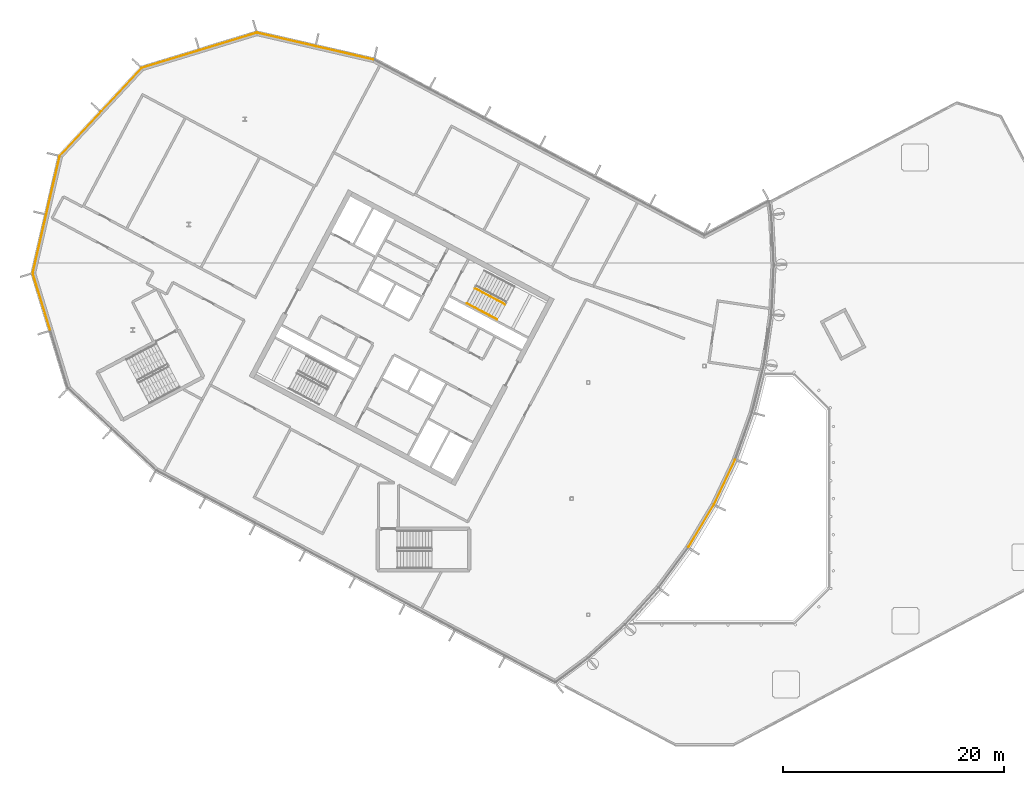
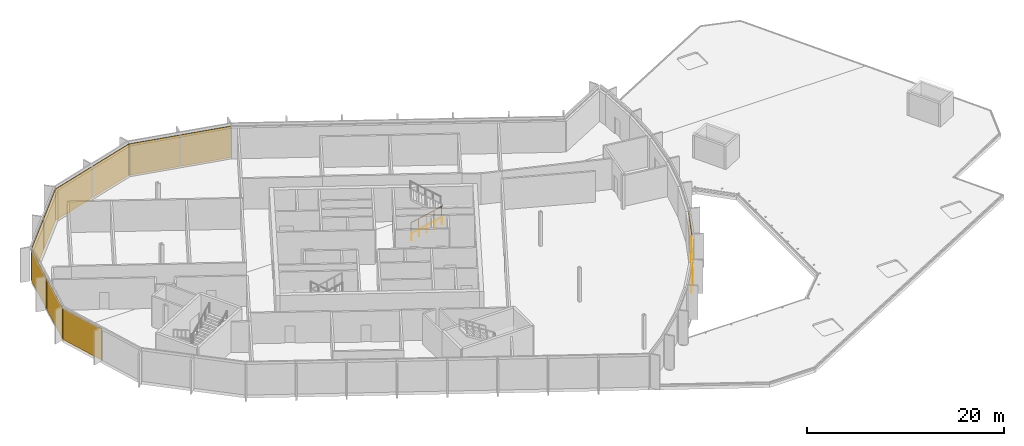
# One storey, part 13 of 16: 11 coverings, 2 railings, 7 elements without a shape of their own.
"""IFC4 building model written with IfcOpenShell, lengths in metres."""

from ifc_helpers import new_model, si_unit, direction, frame, origin, origin_2d, place, context, subcontext, project, spatial, polyline, rectangle, outline, extrude, material, layer, layer_set, type_object, element, aggregate, save


model = new_model("IFC4")

# Units and contexts
model_context = context("Model", 3, precision=1e-05, world=origin(), true_north=direction((0.0, 1.0)))
body_context = subcontext(model_context, "Body", "Model", "MODEL_VIEW")
ifc_project = project(units=[si_unit("LENGTHUNIT", "METRE"), si_unit("AREAUNIT", "SQUARE_METRE"), si_unit("VOLUMEUNIT", "CUBIC_METRE"), si_unit("PLANEANGLEUNIT", "RADIAN"), si_unit("MASSUNIT", "GRAM", prefix="KILO")], contexts=[model_context])

# Site, building, storey
site_placement = place(None, origin())
site = spatial("IfcSite", under=ifc_project, at=site_placement, CompositionType="ELEMENT")
building_placement = place(site_placement, origin())
building = spatial("IfcBuilding", under=site, at=building_placement, Name="Cormorant Relay Tower", CompositionType="ELEMENT")
storey_placement = place(building_placement, frame((0.0, 0.0, 328.199951171875)))
storey = spatial("IfcBuildingStorey", under=building, at=storey_placement, Name="C1", CompositionType="ELEMENT", Elevation=328.199951171875)

# Curtain wall, covering
ifc_material_1 = material(Name="Aluminium 6063-T6 anodised bronze", Category="aluminium")
ifc_layer_1 = layer(ifc_material_1, 0.199951171875)
ifc_layer_set_1 = layer_set([ifc_layer_1], Name="CW3 crown screen wall")
curtain_wall_type = type_object("IfcCurtainWallType", Name="CW3 crown screen wall", PredefinedType="NOTDEFINED", material=ifc_layer_set_1)
curtain_wall_1_placement = place(storey_placement, origin())
curtain_wall_1 = element("IfcCurtainWall", 1, at=curtain_wall_1_placement, inside=storey, type_object=curtain_wall_type, Name="CW3 curtain wall 6", PredefinedType="NOTDEFINED")
ifc_material_2 = material(Name="Perforated bronze anodised aluminium screen", Category="aluminium")
ifc_layer_2 = layer(ifc_material_2, 0.0400390625)
ifc_layer_set_2 = layer_set([ifc_layer_2], Name="CW3 perforated bronze screen panel 40")
covering_type = type_object("IfcCoveringType", Name="CW3 perforated bronze screen panel 40", PredefinedType="CLADDING", material=ifc_layer_set_2)
covering_1_placement = place(storey_placement, frame((-0.2880859375, -2.47216796875, 0.0), z_axis=(0.0, 0.0, 1.0), x_axis=(0.514102744193, 0.85772861, 0.0)))
covering_1 = element("IfcCovering", 2, at=covering_1_placement, type_object=covering_type, Name="CW3 panel X00", PredefinedType="CLADDING", context=body_context, shape_type="SweptSolid", body=[
    extrude(rectangle(XDim=4.439208984375, YDim=0.0400390625, at=origin_2d()), origin(), (0.0, 0.0, 1.0), 3.89990234375),
])
aggregate(curtain_wall_1, [covering_1])

curtain_wall_2_placement = place(storey_placement, origin())
curtain_wall_2 = element("IfcCurtainWall", 3, at=curtain_wall_2_placement, inside=storey, type_object=curtain_wall_type, Name="CW3 curtain wall 7", PredefinedType="NOTDEFINED")
covering_2_placement = place(storey_placement, frame((1.8349609375, 1.5078125, 0.0), z_axis=(0.0, 0.0, 1.0), x_axis=(0.42755509343, 0.903989293123, 0.0)))
covering_2 = element("IfcCovering", 4, at=covering_2_placement, type_object=covering_type, Name="CW3 panel X00", PredefinedType="CLADDING", context=body_context, shape_type="SweptSolid", body=[
    extrude(rectangle(XDim=4.439208984375, YDim=0.0400390625, at=origin_2d()), origin(), (0.0, 0.0, 1.0), 3.89990234375),
])
aggregate(curtain_wall_2, [covering_2])

# Curtain wall, coverings
curtain_wall_3_placement = place(storey_placement, origin())
curtain_wall_3 = element("IfcCurtainWall", 5, at=curtain_wall_3_placement, inside=storey, type_object=curtain_wall_type, Name="CW3 curtain wall 16", PredefinedType="NOTDEFINED")
covering_3_placement = place(storey_placement, frame((-32.51708984375, 40.298828125, 0.0), z_axis=(0.0, 0.0, 1.0), x_axis=(-0.974370064785, 0.224951054344, 0.0)))
covering_3 = element("IfcCovering", 6, at=covering_3_placement, type_object=covering_type, Name="CW3 panel X00", PredefinedType="CLADDING", context=body_context, shape_type="SweptSolid", body=[
    extrude(rectangle(XDim=5.28515625, YDim=0.0400390625, at=origin_2d()), origin(), (0.0, 0.0, 1.0), 3.89990234375),
])
covering_4_placement = place(storey_placement, frame((-37.849609375, 41.530029296875, 0.0), z_axis=(0.0, 0.0, 1.0), x_axis=(-0.974370064785, 0.224951054344, 0.0)))
covering_4 = element("IfcCovering", 7, at=covering_4_placement, type_object=covering_type, Name="CW3 panel X01", PredefinedType="CLADDING", context=body_context, shape_type="SweptSolid", body=[
    extrude(rectangle(XDim=5.360107421875, YDim=0.0400390625, at=origin_2d()), origin(), (0.0, 0.0, 1.0), 3.89990234375),
])
aggregate(curtain_wall_3, [covering_3, covering_4])

curtain_wall_4_placement = place(storey_placement, origin())
curtain_wall_4 = element("IfcCurtainWall", 8, at=curtain_wall_4_placement, inside=storey, type_object=curtain_wall_type, Name="CW3 curtain wall 17", PredefinedType="NOTDEFINED")
covering_5_placement = place(storey_placement, frame((-43.0703125, 41.337890625, 0.0), z_axis=(0.0, 0.0, 1.0), x_axis=(-0.956304755963, -0.292371704723, 0.0)))
covering_5 = element("IfcCovering", 9, at=covering_5_placement, type_object=covering_type, Name="CW3 panel X00", PredefinedType="CLADDING", context=body_context, shape_type="SweptSolid", body=[
    extrude(rectangle(XDim=5.28515625, YDim=0.0400390625, at=origin_2d()), origin(), (0.0, 0.0, 1.0), 3.89990234375),
])
covering_6_placement = place(storey_placement, frame((-48.3037109375, 39.73779296875, 0.0), z_axis=(0.0, 0.0, 1.0), x_axis=(-0.956304755963, -0.292371704723, 0.0)))
covering_6 = element("IfcCovering", 10, at=covering_6_placement, type_object=covering_type, Name="CW3 panel X01", PredefinedType="CLADDING", context=body_context, shape_type="SweptSolid", body=[
    extrude(rectangle(XDim=5.360107421875, YDim=0.0400390625, at=origin_2d()), origin(), (0.0, 0.0, 1.0), 3.89990234375),
])
aggregate(curtain_wall_4, [covering_5, covering_6])

curtain_wall_5_placement = place(storey_placement, origin())
curtain_wall_5 = element("IfcCurtainWall", 11, at=curtain_wall_5_placement, inside=storey, type_object=curtain_wall_type, Name="CW3 curtain wall 18", PredefinedType="NOTDEFINED")
covering_7_placement = place(storey_placement, frame((-52.72900390625, 36.961181640625, 0.0), z_axis=(0.0, 0.0, 1.0), x_axis=(-0.681998360062, -0.731353701619, 0.0)))
covering_7 = element("IfcCovering", 12, at=covering_7_placement, type_object=covering_type, Name="CW3 panel X00", PredefinedType="CLADDING", context=body_context, shape_type="SweptSolid", body=[
    extrude(rectangle(XDim=5.28515625, YDim=0.0400390625, at=origin_2d()), origin(), (0.0, 0.0, 1.0), 3.89990234375),
])
covering_8_placement = place(storey_placement, frame((-56.461181640625, 32.958984375, 0.0), z_axis=(0.0, 0.0, 1.0), x_axis=(-0.681998360062, -0.731353701619, 0.0)))
covering_8 = element("IfcCovering", 13, at=covering_8_placement, type_object=covering_type, Name="CW3 panel X01", PredefinedType="CLADDING", context=body_context, shape_type="SweptSolid", body=[
    extrude(rectangle(XDim=5.360107421875, YDim=0.0400390625, at=origin_2d()), origin(), (0.0, 0.0, 1.0), 3.89990234375),
])
aggregate(curtain_wall_5, [covering_7, covering_8])

curtain_wall_6_placement = place(storey_placement, origin())
curtain_wall_6 = element("IfcCurtainWall", 14, at=curtain_wall_6_placement, inside=storey, type_object=curtain_wall_type, Name="CW3 curtain wall 19", PredefinedType="NOTDEFINED")
covering_9_placement = place(storey_placement, frame((-58.905517578125, 28.341796875, 0.0), z_axis=(0.0, 0.0, 1.0), x_axis=(-0.224951054344, -0.974370064785, 0.0)))
covering_9 = element("IfcCovering", 15, at=covering_9_placement, type_object=covering_type, Name="CW3 panel X00", PredefinedType="CLADDING", context=body_context, shape_type="SweptSolid", body=[
    extrude(rectangle(XDim=5.28515625, YDim=0.0400390625, at=origin_2d()), origin(), (0.0, 0.0, 1.0), 3.89990234375),
])
covering_10_placement = place(storey_placement, frame((-60.136474609375, 23.00927734375, 0.0), z_axis=(0.0, 0.0, 1.0), x_axis=(-0.224951054344, -0.974370064785, 0.0)))
covering_10 = element("IfcCovering", 16, at=covering_10_placement, type_object=covering_type, Name="CW3 panel X01", PredefinedType="CLADDING", context=body_context, shape_type="SweptSolid", body=[
    extrude(rectangle(XDim=5.360107421875, YDim=0.0400390625, at=origin_2d()), origin(), (0.0, 0.0, 1.0), 3.89990234375),
])
aggregate(curtain_wall_6, [covering_9, covering_10])

# Curtain wall, covering
curtain_wall_7_placement = place(storey_placement, origin())
curtain_wall_7 = element("IfcCurtainWall", 17, at=curtain_wall_7_placement, inside=storey, type_object=curtain_wall_type, Name="CW3 curtain wall 20", PredefinedType="NOTDEFINED")
covering_11_placement = place(storey_placement, frame((-59.9443359375, 17.78857421875, 0.0), z_axis=(0.0, 0.0, 1.0), x_axis=(0.292371704723, -0.956304755963, 0.0)))
covering_11 = element("IfcCovering", 18, at=covering_11_placement, type_object=covering_type, Name="CW3 panel X00", PredefinedType="CLADDING", context=body_context, shape_type="SweptSolid", body=[
    extrude(rectangle(XDim=5.28515625, YDim=0.0400390625, at=origin_2d()), origin(), (0.0, 0.0, 1.0), 3.89990234375),
])
aggregate(curtain_wall_7, [covering_11])

# Railings
ifc_material_3 = material(Name="Steel ASTM A572 Grade 50 (Fy 345 MPa)", Category="steel")
railing_type_1 = type_object("IfcRailingType", Name="Stair guard 1100", PredefinedType="GUARDRAIL", material=ifc_material_3)
railing_1_placement = place(storey_placement, frame((-20.75048828125, 19.017822265625, 0.175048828125)))
element("IfcRailing", 19, at=railing_1_placement, inside=storey, type_object=railing_type_1, Name="C1 A1 stair guard 1", PredefinedType="GUARDRAIL", context=body_context, shape_type="SweptSolid", body=[
    extrude(outline(polyline([(0.022216796875, 0.00927734375), (0.00927734375, 0.022216796875), (-0.00927734375, 0.022216796875), (-0.022216796875, 0.00927734375), (-0.022216796875, -0.00927734375), (-0.00927734375, -0.022216796875), (0.00927734375, -0.022216796875), (0.022216796875, -0.00927734375), (0.022216796875, 0.00927734375)])), frame((0.0, 0.0, 1.076171875), z_axis=(0.748747275397, -0.39806817173, 0.530018158408), x_axis=(0.469427602063, 0.882970965786, 0.0)), (0.0, 0.0, 1.0), 3.632080078125),
    extrude(outline(polyline([(0.019287109375, 0.008056640625), (0.008056640625, 0.019287109375), (-0.008056640625, 0.019287109375), (-0.019287109375, 0.008056640625), (-0.019287109375, -0.008056640625), (-0.008056640625, -0.019287109375), (0.008056640625, -0.019287109375), (0.019287109375, -0.008056640625), (0.019287109375, 0.008056640625)])), origin(), (0.0, 0.0, 1.0), 1.052001953125),
    extrude(outline(polyline([(0.019287109375, 0.008056640625), (0.008056640625, 0.019287109375), (-0.008056640625, 0.019287109375), (-0.019287109375, 0.008056640625), (-0.019287109375, -0.008056640625), (-0.008056640625, -0.019287109375), (0.008056640625, -0.019287109375), (0.019287109375, -0.008056640625), (0.019287109375, 0.008056640625)])), frame((0.679931640625, -0.361328125, 0.481201171875)), (0.0, 0.0, 1.0), 1.052001953125),
    extrude(outline(polyline([(0.019287109375, 0.008056640625), (0.008056640625, 0.019287109375), (-0.008056640625, 0.019287109375), (-0.019287109375, 0.008056640625), (-0.019287109375, -0.008056640625), (-0.008056640625, -0.019287109375), (0.008056640625, -0.019287109375), (0.019287109375, -0.008056640625), (0.019287109375, 0.008056640625)])), frame((1.35986328125, -0.722900390625, 0.96240234375)), (0.0, 0.0, 1.0), 1.052001953125),
    extrude(outline(polyline([(0.019287109375, 0.008056640625), (0.008056640625, 0.019287109375), (-0.008056640625, 0.019287109375), (-0.019287109375, 0.008056640625), (-0.019287109375, -0.008056640625), (-0.008056640625, -0.019287109375), (0.008056640625, -0.019287109375), (0.019287109375, -0.008056640625), (0.019287109375, 0.008056640625)])), frame((2.03955078125, -1.08447265625, 1.44384765625)), (0.0, 0.0, 1.0), 1.052001953125),
    extrude(outline(polyline([(0.019287109375, 0.008056640625), (0.008056640625, 0.019287109375), (-0.008056640625, 0.019287109375), (-0.019287109375, 0.008056640625), (-0.019287109375, -0.008056640625), (-0.008056640625, -0.019287109375), (0.008056640625, -0.019287109375), (0.019287109375, -0.008056640625), (0.019287109375, 0.008056640625)])), frame((2.719482421875, -1.44580078125, 1.925048828125)), (0.0, 0.0, 1.0), 1.052001953125),
])
ifc_material_4 = material(Name="Steel ASTM A572 Grade 50 (Fy 345 MPa)", Category="steel")
railing_type_2 = type_object("IfcRailingType", Name="Stair handrail 900", PredefinedType="HANDRAIL", material=ifc_material_4)
railing_2_placement = place(storey_placement, frame((-21.478271484375, 17.6494140625, 0.175048828125)))
element("IfcRailing", 20, at=railing_2_placement, inside=storey, type_object=railing_type_2, Name="C1 A1 stair handrail 1", PredefinedType="HANDRAIL", context=body_context, shape_type="SweptSolid", body=[
    extrude(outline(polyline([(0.022216796875, 0.00927734375), (0.00927734375, 0.022216796875), (-0.00927734375, 0.022216796875), (-0.022216796875, 0.00927734375), (-0.022216796875, -0.00927734375), (-0.00927734375, -0.022216796875), (0.00927734375, -0.022216796875), (0.022216796875, -0.00927734375), (0.022216796875, 0.00927734375)])), frame((0.0, 0.0, 0.8759765625), z_axis=(0.748727239859, -0.398124736663, 0.530003975787), x_axis=(0.469489399267, 0.882938108802, 0.0)), (0.0, 0.0, 1.0), 3.632080078125),
    extrude(outline(polyline([(0.019287109375, 0.008056640625), (0.008056640625, 0.019287109375), (-0.008056640625, 0.019287109375), (-0.019287109375, 0.008056640625), (-0.019287109375, -0.008056640625), (-0.008056640625, -0.019287109375), (0.008056640625, -0.019287109375), (0.019287109375, -0.008056640625), (0.019287109375, 0.008056640625)])), origin(), (0.0, 0.0, 1.0), 0.851806640625),
    extrude(outline(polyline([(0.019287109375, 0.008056640625), (0.008056640625, 0.019287109375), (-0.008056640625, 0.019287109375), (-0.019287109375, 0.008056640625), (-0.019287109375, -0.008056640625), (-0.008056640625, -0.019287109375), (0.008056640625, -0.019287109375), (0.019287109375, -0.008056640625), (0.019287109375, 0.008056640625)])), frame((0.679931640625, -0.361572265625, 0.481201171875)), (0.0, 0.0, 1.0), 0.851806640625),
    extrude(outline(polyline([(0.019287109375, 0.008056640625), (0.008056640625, 0.019287109375), (-0.008056640625, 0.019287109375), (-0.019287109375, 0.008056640625), (-0.019287109375, -0.008056640625), (-0.008056640625, -0.019287109375), (0.008056640625, -0.019287109375), (0.019287109375, -0.008056640625), (0.019287109375, 0.008056640625)])), frame((1.35986328125, -0.72314453125, 0.96240234375)), (0.0, 0.0, 1.0), 0.851806640625),
    extrude(outline(polyline([(0.019287109375, 0.008056640625), (0.008056640625, 0.019287109375), (-0.008056640625, 0.019287109375), (-0.019287109375, 0.008056640625), (-0.019287109375, -0.008056640625), (-0.008056640625, -0.019287109375), (0.008056640625, -0.019287109375), (0.019287109375, -0.008056640625), (0.019287109375, 0.008056640625)])), frame((2.03955078125, -1.08447265625, 1.44384765625)), (0.0, 0.0, 1.0), 0.851806640625),
    extrude(outline(polyline([(0.019287109375, 0.008056640625), (0.008056640625, 0.019287109375), (-0.008056640625, 0.019287109375), (-0.019287109375, 0.008056640625), (-0.019287109375, -0.008056640625), (-0.008056640625, -0.019287109375), (0.008056640625, -0.019287109375), (0.019287109375, -0.008056640625), (0.019287109375, 0.008056640625)])), frame((2.719482421875, -1.446044921875, 1.925048828125)), (0.0, 0.0, 1.0), 0.851806640625),
])

save(model, "model.ifc")
